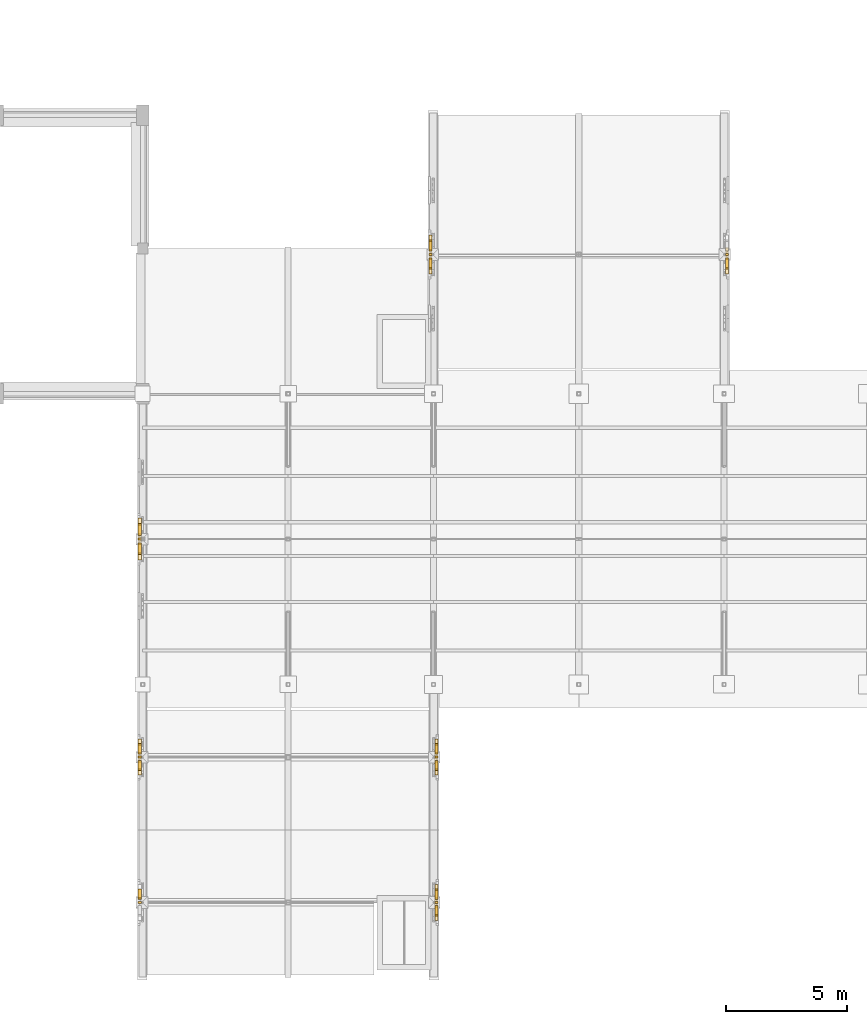
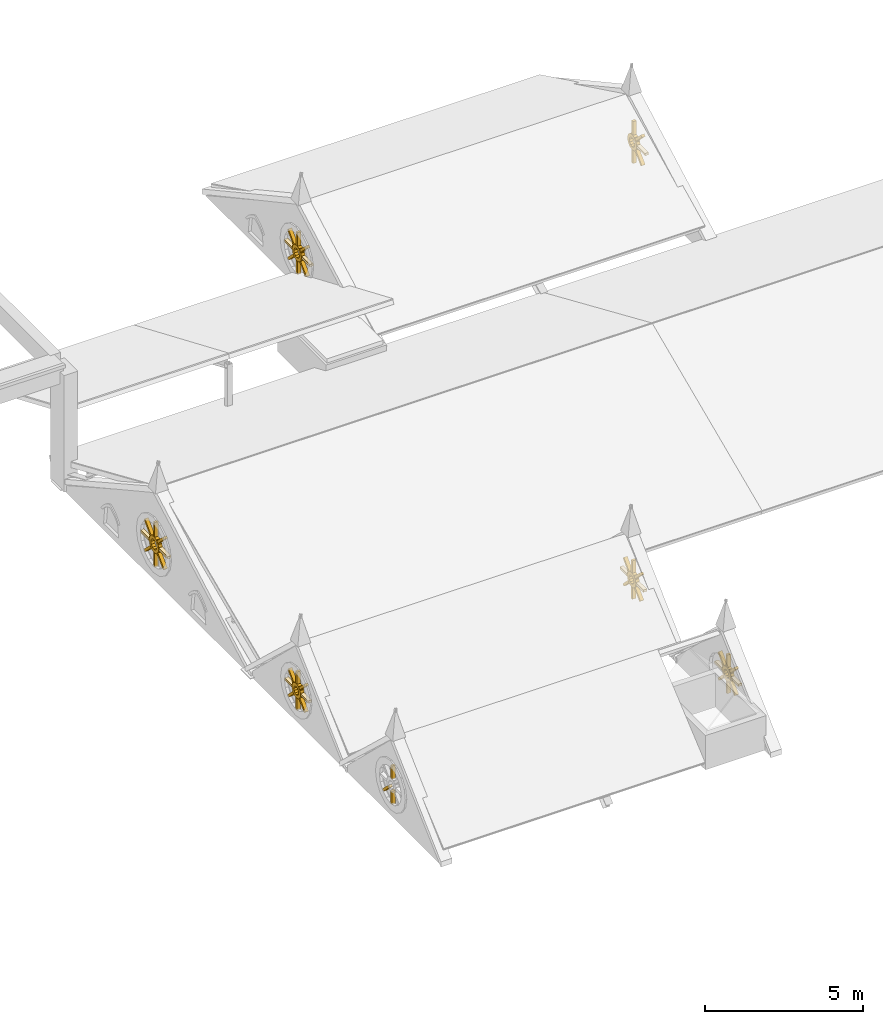
# One storey, part 58 of 59: 54 coverings.
"""IFC4 building model written with IfcOpenShell, lengths in metres."""

from ifc_helpers import new_model, si_unit, direction, frame, origin, place, context, subcontext, project, spatial, polyline, outline, extrude, material, type_object, element, save


model = new_model("IFC4")

# Units and contexts
model_context = context("Model", 3, precision=1e-05, world=origin(), true_north=direction((0.0, 1.0)))
body_context = subcontext(model_context, "Body", "Model", "MODEL_VIEW")
ifc_project = project(units=[si_unit("LENGTHUNIT", "METRE"), si_unit("AREAUNIT", "SQUARE_METRE"), si_unit("VOLUMEUNIT", "CUBIC_METRE"), si_unit("PLANEANGLEUNIT", "RADIAN"), si_unit("MASSUNIT", "GRAM", prefix="KILO")], contexts=[model_context])

# Site, building, storey
site_placement = place(None, origin())
site = spatial("IfcSite", under=ifc_project, at=site_placement, CompositionType="ELEMENT")
building_placement = place(site_placement, origin())
building = spatial("IfcBuilding", under=site, at=building_placement, Name="Cumevento Cable Car Station", CompositionType="ELEMENT")
storey_placement = place(building_placement, frame((0.0, 0.0, 18.0)))
storey = spatial("IfcBuildingStorey", under=building, at=storey_placement, Name="L05", CompositionType="ELEMENT", Elevation=18.0)

# Coverings
ifc_material = material(Name="Gnaisse Facoidal Stone Ashlar 85 MPa", Category="masonry")
covering_type = type_object("IfcCoveringType", Name="Gnaisse Ashlar Cladding CV-CL01", PredefinedType="CLADDING", material=ifc_material)
placement_1 = place(storey_placement, frame((118.0, 33.0, 0.0), z_axis=(0.0, 0.0, 1.0), x_axis=(0.0, 1.0, 0.0)))
element("IfcCovering", 1, at=placement_1, inside=storey, type_object=covering_type, Name="Gothic Rose Central Stone Oculus Hub depot_garage_W", PredefinedType="CLADDING", context=body_context, shape_type="SweptSolid", body=[
    extrude(outline(polyline([(6.310302734375, 1.3447265625), (6.268798828125, 1.5), (6.155029296875, 1.613525390625), (6.0, 1.655029296875), (5.844970703125, 1.613525390625), (5.731201171875, 1.5), (5.689697265625, 1.3447265625), (5.731201171875, 1.189697265625), (5.844970703125, 1.076171875), (6.0, 1.034423828125), (6.155029296875, 1.076171875), (6.268798828125, 1.189697265625), (6.310302734375, 1.3447265625)]), holes=[polyline([(6.190185546875, 1.3447265625), (6.164794921875, 1.43994140625), (6.09521484375, 1.509521484375), (6.0, 1.53515625), (5.90478515625, 1.509521484375), (5.835205078125, 1.43994140625), (5.809814453125, 1.3447265625), (5.835205078125, 1.249755859375), (5.90478515625, 1.179931640625), (6.0, 1.154541015625), (6.09521484375, 1.179931640625), (6.164794921875, 1.249755859375), (6.190185546875, 1.3447265625)])]), frame((0.0, 0.18994140625, 0.0), z_axis=(0.0, -1.0, 0.0), x_axis=(1.0, 0.0, 0.0)), (0.0, 0.0, 1.0), 0.139892578125),
])
element("IfcCovering", 2, at=placement_1, inside=storey, type_object=covering_type, Name="Gothic Rose Stone Tracery Mullion depot_garage_W #1", PredefinedType="CLADDING", context=body_context, shape_type="SweptSolid", body=[
    extrude(outline(polyline([(6.26025390625, 1.389892578125), (6.865478515625, 1.389892578125), (6.865478515625, 1.2998046875), (6.26025390625, 1.2998046875), (6.26025390625, 1.389892578125)])), frame((0.0, 0.18505859375, 0.0), z_axis=(0.0, -1.0, 0.0), x_axis=(1.0, 0.0, 0.0)), (0.0, 0.0, 1.0), 0.1298828125),
])
element("IfcCovering", 3, at=placement_1, inside=storey, type_object=covering_type, Name="Gothic Rose Stone Tracery Mullion depot_garage_W #2", PredefinedType="CLADDING", context=body_context, shape_type="SweptSolid", body=[
    extrude(outline(polyline([(6.15234375, 1.560791015625), (6.580322265625, 1.98876953125), (6.643798828125, 1.925048828125), (6.2158203125, 1.4970703125), (6.15234375, 1.560791015625)])), frame((0.0, 0.18505859375, 0.0), z_axis=(0.0, -1.0, 0.0), x_axis=(1.0, 0.0, 0.0)), (0.0, 0.0, 1.0), 0.1298828125),
])
element("IfcCovering", 4, at=placement_1, inside=storey, type_object=covering_type, Name="Gothic Rose Stone Tracery Mullion depot_garage_W #3", PredefinedType="CLADDING", context=body_context, shape_type="SweptSolid", body=[
    extrude(outline(polyline([(5.955078125, 1.60498046875), (5.955078125, 2.21044921875), (6.044921875, 2.21044921875), (6.044921875, 1.60498046875), (5.955078125, 1.60498046875)])), frame((0.0, 0.18505859375, 0.0), z_axis=(0.0, -1.0, 0.0), x_axis=(1.0, 0.0, 0.0)), (0.0, 0.0, 1.0), 0.1298828125),
])
element("IfcCovering", 5, at=placement_1, inside=storey, type_object=covering_type, Name="Gothic Rose Stone Tracery Mullion depot_garage_W #4", PredefinedType="CLADDING", context=body_context, shape_type="SweptSolid", body=[
    extrude(outline(polyline([(5.7841796875, 1.4970703125), (5.356201171875, 1.925048828125), (5.419677734375, 1.98876953125), (5.84765625, 1.560791015625), (5.7841796875, 1.4970703125)])), frame((0.0, 0.18505859375, 0.0), z_axis=(0.0, -1.0, 0.0), x_axis=(1.0, 0.0, 0.0)), (0.0, 0.0, 1.0), 0.1298828125),
])
element("IfcCovering", 6, at=placement_1, inside=storey, type_object=covering_type, Name="Gothic Rose Stone Tracery Mullion depot_garage_W #5", PredefinedType="CLADDING", context=body_context, shape_type="SweptSolid", body=[
    extrude(outline(polyline([(5.73974609375, 1.2998046875), (5.134521484375, 1.2998046875), (5.134521484375, 1.389892578125), (5.73974609375, 1.389892578125), (5.73974609375, 1.2998046875)])), frame((0.0, 0.18505859375, 0.0), z_axis=(0.0, -1.0, 0.0), x_axis=(1.0, 0.0, 0.0)), (0.0, 0.0, 1.0), 0.1298828125),
])
element("IfcCovering", 7, at=placement_1, inside=storey, type_object=covering_type, Name="Gothic Rose Stone Tracery Mullion depot_garage_W #6", PredefinedType="CLADDING", context=body_context, shape_type="SweptSolid", body=[
    extrude(outline(polyline([(5.84765625, 1.12890625), (5.419677734375, 0.700927734375), (5.356201171875, 0.7646484375), (5.7841796875, 1.192626953125), (5.84765625, 1.12890625)])), frame((0.0, 0.18505859375, 0.0), z_axis=(0.0, -1.0, 0.0), x_axis=(1.0, 0.0, 0.0)), (0.0, 0.0, 1.0), 0.1298828125),
])
element("IfcCovering", 8, at=placement_1, inside=storey, type_object=covering_type, Name="Gothic Rose Stone Tracery Mullion depot_garage_W #7", PredefinedType="CLADDING", context=body_context, shape_type="SweptSolid", body=[
    extrude(outline(polyline([(6.044921875, 1.08447265625), (6.044921875, 0.479248046875), (5.955078125, 0.479248046875), (5.955078125, 1.08447265625), (6.044921875, 1.08447265625)])), frame((0.0, 0.18505859375, 0.0), z_axis=(0.0, -1.0, 0.0), x_axis=(1.0, 0.0, 0.0)), (0.0, 0.0, 1.0), 0.1298828125),
])
element("IfcCovering", 9, at=placement_1, inside=storey, type_object=covering_type, Name="Gothic Rose Stone Tracery Mullion depot_garage_W #8", PredefinedType="CLADDING", context=body_context, shape_type="SweptSolid", body=[
    extrude(outline(polyline([(6.2158203125, 1.192626953125), (6.643798828125, 0.7646484375), (6.580322265625, 0.700927734375), (6.15234375, 1.12890625), (6.2158203125, 1.192626953125)])), frame((0.0, 0.18505859375, 0.0), z_axis=(0.0, -1.0, 0.0), x_axis=(1.0, 0.0, 0.0)), (0.0, 0.0, 1.0), 0.1298828125),
])
placement_2 = place(storey_placement, frame((118.0, 21.0, 0.0), z_axis=(0.0, 0.0, 1.0), x_axis=(0.0, 1.0, 0.0)))
element("IfcCovering", 10, at=placement_2, inside=storey, type_object=covering_type, Name="Gothic Rose Stone Tracery Mullion wing_B_V4b_core_W #3", PredefinedType="CLADDING", context=body_context, shape_type="SweptSolid", body=[
    extrude(outline(polyline([(2.955078125, 1.388916015625), (2.955078125, 1.904296875), (3.044921875, 1.904296875), (3.044921875, 1.388916015625), (2.955078125, 1.388916015625)])), frame((0.0, 0.18505859375, 0.0), z_axis=(0.0, -1.0, 0.0), x_axis=(1.0, 0.0, 0.0)), (0.0, 0.0, 1.0), 0.1298828125),
])
element("IfcCovering", 11, at=placement_2, inside=storey, type_object=covering_type, Name="Gothic Rose Stone Tracery Mullion wing_B_V4b_core_W #7", PredefinedType="CLADDING", context=body_context, shape_type="SweptSolid", body=[
    extrude(outline(polyline([(3.044921875, 0.931640625), (3.044921875, 0.416259765625), (2.955078125, 0.416259765625), (2.955078125, 0.931640625), (3.044921875, 0.931640625)])), frame((0.0, 0.18505859375, 0.0), z_axis=(0.0, -1.0, 0.0), x_axis=(1.0, 0.0, 0.0)), (0.0, 0.0, 1.0), 0.1298828125),
])
element("IfcCovering", 12, at=placement_2, inside=storey, type_object=covering_type, Name="Gothic Rose Stone Tracery Mullion wing_B_V4b_core_W #8", PredefinedType="CLADDING", context=body_context, shape_type="SweptSolid", body=[
    extrude(outline(polyline([(3.193603515625, 1.030517578125), (3.557861328125, 0.666015625), (3.494384765625, 0.602294921875), (3.1298828125, 0.966796875), (3.193603515625, 1.030517578125)])), frame((0.0, 0.18505859375, 0.0), z_axis=(0.0, -1.0, 0.0), x_axis=(1.0, 0.0, 0.0)), (0.0, 0.0, 1.0), 0.1298828125),
])
placement_3 = place(storey_placement, frame((130.0, 27.0, 0.0), z_axis=(0.0, 0.0, 1.0), x_axis=(0.0, -1.0, 0.0)))
element("IfcCovering", 13, at=placement_3, inside=storey, type_object=covering_type, Name="Gothic Rose Central Stone Oculus Hub wing_B_V4b_core_E", PredefinedType="CLADDING", context=body_context, shape_type="SweptSolid", body=[
    extrude(outline(polyline([(3.27880859375, 1.160400390625), (3.241455078125, 1.299560546875), (3.139404296875, 1.401611328125), (3.0, 1.43896484375), (2.860595703125, 1.401611328125), (2.758544921875, 1.299560546875), (2.72119140625, 1.160400390625), (2.758544921875, 1.02099609375), (2.860595703125, 0.9189453125), (3.0, 0.881591796875), (3.139404296875, 0.9189453125), (3.241455078125, 1.02099609375), (3.27880859375, 1.160400390625)]), holes=[polyline([(3.15869140625, 1.160400390625), (3.137451171875, 1.23974609375), (3.079345703125, 1.2978515625), (3.0, 1.319091796875), (2.920654296875, 1.2978515625), (2.862548828125, 1.23974609375), (2.84130859375, 1.160400390625), (2.862548828125, 1.0810546875), (2.920654296875, 1.02294921875), (3.0, 1.001708984375), (3.079345703125, 1.02294921875), (3.137451171875, 1.0810546875), (3.15869140625, 1.160400390625)])]), frame((0.0, 0.18994140625, 0.0), z_axis=(0.0, -1.0, 0.0), x_axis=(1.0, 0.0, 0.0)), (0.0, 0.0, 1.0), 0.139892578125),
])
element("IfcCovering", 14, at=placement_3, inside=storey, type_object=covering_type, Name="Gothic Rose Stone Tracery Mullion wing_B_V4b_core_E #1", PredefinedType="CLADDING", context=body_context, shape_type="SweptSolid", body=[
    extrude(outline(polyline([(3.228759765625, 1.205322265625), (3.744140625, 1.205322265625), (3.744140625, 1.115234375), (3.228759765625, 1.115234375), (3.228759765625, 1.205322265625)])), frame((0.0, 0.18505859375, 0.0), z_axis=(0.0, -1.0, 0.0), x_axis=(1.0, 0.0, 0.0)), (0.0, 0.0, 1.0), 0.1298828125),
])
element("IfcCovering", 15, at=placement_3, inside=storey, type_object=covering_type, Name="Gothic Rose Stone Tracery Mullion wing_B_V4b_core_E #2", PredefinedType="CLADDING", context=body_context, shape_type="SweptSolid", body=[
    extrude(outline(polyline([(3.1298828125, 1.353759765625), (3.494384765625, 1.71826171875), (3.557861328125, 1.654541015625), (3.193603515625, 1.290283203125), (3.1298828125, 1.353759765625)])), frame((0.0, 0.18505859375, 0.0), z_axis=(0.0, -1.0, 0.0), x_axis=(1.0, 0.0, 0.0)), (0.0, 0.0, 1.0), 0.1298828125),
])
element("IfcCovering", 16, at=placement_3, inside=storey, type_object=covering_type, Name="Gothic Rose Stone Tracery Mullion wing_B_V4b_core_E #3", PredefinedType="CLADDING", context=body_context, shape_type="SweptSolid", body=[
    extrude(outline(polyline([(2.955078125, 1.388916015625), (2.955078125, 1.904296875), (3.044921875, 1.904296875), (3.044921875, 1.388916015625), (2.955078125, 1.388916015625)])), frame((0.0, 0.18505859375, 0.0), z_axis=(0.0, -1.0, 0.0), x_axis=(1.0, 0.0, 0.0)), (0.0, 0.0, 1.0), 0.1298828125),
])
element("IfcCovering", 17, at=placement_3, inside=storey, type_object=covering_type, Name="Gothic Rose Stone Tracery Mullion wing_B_V4b_core_E #4", PredefinedType="CLADDING", context=body_context, shape_type="SweptSolid", body=[
    extrude(outline(polyline([(2.806396484375, 1.290283203125), (2.442138671875, 1.654541015625), (2.505615234375, 1.71826171875), (2.8701171875, 1.353759765625), (2.806396484375, 1.290283203125)])), frame((0.0, 0.18505859375, 0.0), z_axis=(0.0, -1.0, 0.0), x_axis=(1.0, 0.0, 0.0)), (0.0, 0.0, 1.0), 0.1298828125),
])
element("IfcCovering", 18, at=placement_3, inside=storey, type_object=covering_type, Name="Gothic Rose Stone Tracery Mullion wing_B_V4b_core_E #5", PredefinedType="CLADDING", context=body_context, shape_type="SweptSolid", body=[
    extrude(outline(polyline([(2.771240234375, 1.115234375), (2.255859375, 1.115234375), (2.255859375, 1.205322265625), (2.771240234375, 1.205322265625), (2.771240234375, 1.115234375)])), frame((0.0, 0.18505859375, 0.0), z_axis=(0.0, -1.0, 0.0), x_axis=(1.0, 0.0, 0.0)), (0.0, 0.0, 1.0), 0.1298828125),
])
element("IfcCovering", 19, at=placement_3, inside=storey, type_object=covering_type, Name="Gothic Rose Stone Tracery Mullion wing_B_V4b_core_E #6", PredefinedType="CLADDING", context=body_context, shape_type="SweptSolid", body=[
    extrude(outline(polyline([(2.8701171875, 0.966796875), (2.505615234375, 0.602294921875), (2.442138671875, 0.666015625), (2.806396484375, 1.030517578125), (2.8701171875, 0.966796875)])), frame((0.0, 0.18505859375, 0.0), z_axis=(0.0, -1.0, 0.0), x_axis=(1.0, 0.0, 0.0)), (0.0, 0.0, 1.0), 0.1298828125),
])
element("IfcCovering", 20, at=placement_3, inside=storey, type_object=covering_type, Name="Gothic Rose Stone Tracery Mullion wing_B_V4b_core_E #7", PredefinedType="CLADDING", context=body_context, shape_type="SweptSolid", body=[
    extrude(outline(polyline([(3.044921875, 0.931640625), (3.044921875, 0.416259765625), (2.955078125, 0.416259765625), (2.955078125, 0.931640625), (3.044921875, 0.931640625)])), frame((0.0, 0.18505859375, 0.0), z_axis=(0.0, -1.0, 0.0), x_axis=(1.0, 0.0, 0.0)), (0.0, 0.0, 1.0), 0.1298828125),
])
element("IfcCovering", 21, at=placement_3, inside=storey, type_object=covering_type, Name="Gothic Rose Stone Tracery Mullion wing_B_V4b_core_E #8", PredefinedType="CLADDING", context=body_context, shape_type="SweptSolid", body=[
    extrude(outline(polyline([(3.193603515625, 1.030517578125), (3.557861328125, 0.666015625), (3.494384765625, 0.602294921875), (3.1298828125, 0.966796875), (3.193603515625, 1.030517578125)])), frame((0.0, 0.18505859375, 0.0), z_axis=(0.0, -1.0, 0.0), x_axis=(1.0, 0.0, 0.0)), (0.0, 0.0, 1.0), 0.1298828125),
])
placement_4 = place(storey_placement, frame((118.0, 27.0, 0.0), z_axis=(0.0, 0.0, 1.0), x_axis=(0.0, 1.0, 0.0)))
element("IfcCovering", 22, at=placement_4, inside=storey, type_object=covering_type, Name="Gothic Rose Central Stone Oculus Hub wing_B_V4b_W", PredefinedType="CLADDING", context=body_context, shape_type="SweptSolid", body=[
    extrude(outline(polyline([(3.27880859375, 1.160400390625), (3.241455078125, 1.299560546875), (3.139404296875, 1.401611328125), (3.0, 1.43896484375), (2.860595703125, 1.401611328125), (2.758544921875, 1.299560546875), (2.72119140625, 1.160400390625), (2.758544921875, 1.02099609375), (2.860595703125, 0.9189453125), (3.0, 0.881591796875), (3.139404296875, 0.9189453125), (3.241455078125, 1.02099609375), (3.27880859375, 1.160400390625)]), holes=[polyline([(3.15869140625, 1.160400390625), (3.137451171875, 1.23974609375), (3.079345703125, 1.2978515625), (3.0, 1.319091796875), (2.920654296875, 1.2978515625), (2.862548828125, 1.23974609375), (2.84130859375, 1.160400390625), (2.862548828125, 1.0810546875), (2.920654296875, 1.02294921875), (3.0, 1.001708984375), (3.079345703125, 1.02294921875), (3.137451171875, 1.0810546875), (3.15869140625, 1.160400390625)])]), frame((0.0, 0.18994140625, 0.0), z_axis=(0.0, -1.0, 0.0), x_axis=(1.0, 0.0, 0.0)), (0.0, 0.0, 1.0), 0.139892578125),
])
element("IfcCovering", 23, at=placement_4, inside=storey, type_object=covering_type, Name="Gothic Rose Stone Tracery Mullion wing_B_V4b_W #1", PredefinedType="CLADDING", context=body_context, shape_type="SweptSolid", body=[
    extrude(outline(polyline([(3.228759765625, 1.205322265625), (3.744140625, 1.205322265625), (3.744140625, 1.115234375), (3.228759765625, 1.115234375), (3.228759765625, 1.205322265625)])), frame((0.0, 0.18505859375, 0.0), z_axis=(0.0, -1.0, 0.0), x_axis=(1.0, 0.0, 0.0)), (0.0, 0.0, 1.0), 0.1298828125),
])
element("IfcCovering", 24, at=placement_4, inside=storey, type_object=covering_type, Name="Gothic Rose Stone Tracery Mullion wing_B_V4b_W #2", PredefinedType="CLADDING", context=body_context, shape_type="SweptSolid", body=[
    extrude(outline(polyline([(3.1298828125, 1.353759765625), (3.494384765625, 1.71826171875), (3.557861328125, 1.654541015625), (3.193603515625, 1.290283203125), (3.1298828125, 1.353759765625)])), frame((0.0, 0.18505859375, 0.0), z_axis=(0.0, -1.0, 0.0), x_axis=(1.0, 0.0, 0.0)), (0.0, 0.0, 1.0), 0.1298828125),
])
element("IfcCovering", 25, at=placement_4, inside=storey, type_object=covering_type, Name="Gothic Rose Stone Tracery Mullion wing_B_V4b_W #3", PredefinedType="CLADDING", context=body_context, shape_type="SweptSolid", body=[
    extrude(outline(polyline([(2.955078125, 1.388916015625), (2.955078125, 1.904296875), (3.044921875, 1.904296875), (3.044921875, 1.388916015625), (2.955078125, 1.388916015625)])), frame((0.0, 0.18505859375, 0.0), z_axis=(0.0, -1.0, 0.0), x_axis=(1.0, 0.0, 0.0)), (0.0, 0.0, 1.0), 0.1298828125),
])
element("IfcCovering", 26, at=placement_4, inside=storey, type_object=covering_type, Name="Gothic Rose Stone Tracery Mullion wing_B_V4b_W #4", PredefinedType="CLADDING", context=body_context, shape_type="SweptSolid", body=[
    extrude(outline(polyline([(2.806396484375, 1.290283203125), (2.442138671875, 1.654541015625), (2.505615234375, 1.71826171875), (2.8701171875, 1.353759765625), (2.806396484375, 1.290283203125)])), frame((0.0, 0.18505859375, 0.0), z_axis=(0.0, -1.0, 0.0), x_axis=(1.0, 0.0, 0.0)), (0.0, 0.0, 1.0), 0.1298828125),
])
element("IfcCovering", 27, at=placement_4, inside=storey, type_object=covering_type, Name="Gothic Rose Stone Tracery Mullion wing_B_V4b_W #5", PredefinedType="CLADDING", context=body_context, shape_type="SweptSolid", body=[
    extrude(outline(polyline([(2.771240234375, 1.115234375), (2.255859375, 1.115234375), (2.255859375, 1.205322265625), (2.771240234375, 1.205322265625), (2.771240234375, 1.115234375)])), frame((0.0, 0.18505859375, 0.0), z_axis=(0.0, -1.0, 0.0), x_axis=(1.0, 0.0, 0.0)), (0.0, 0.0, 1.0), 0.1298828125),
])
element("IfcCovering", 28, at=placement_4, inside=storey, type_object=covering_type, Name="Gothic Rose Stone Tracery Mullion wing_B_V4b_W #6", PredefinedType="CLADDING", context=body_context, shape_type="SweptSolid", body=[
    extrude(outline(polyline([(2.8701171875, 0.966796875), (2.505615234375, 0.602294921875), (2.442138671875, 0.666015625), (2.806396484375, 1.030517578125), (2.8701171875, 0.966796875)])), frame((0.0, 0.18505859375, 0.0), z_axis=(0.0, -1.0, 0.0), x_axis=(1.0, 0.0, 0.0)), (0.0, 0.0, 1.0), 0.1298828125),
])
element("IfcCovering", 29, at=placement_4, inside=storey, type_object=covering_type, Name="Gothic Rose Stone Tracery Mullion wing_B_V4b_W #7", PredefinedType="CLADDING", context=body_context, shape_type="SweptSolid", body=[
    extrude(outline(polyline([(3.044921875, 0.931640625), (3.044921875, 0.416259765625), (2.955078125, 0.416259765625), (2.955078125, 0.931640625), (3.044921875, 0.931640625)])), frame((0.0, 0.18505859375, 0.0), z_axis=(0.0, -1.0, 0.0), x_axis=(1.0, 0.0, 0.0)), (0.0, 0.0, 1.0), 0.1298828125),
])
element("IfcCovering", 30, at=placement_4, inside=storey, type_object=covering_type, Name="Gothic Rose Stone Tracery Mullion wing_B_V4b_W #8", PredefinedType="CLADDING", context=body_context, shape_type="SweptSolid", body=[
    extrude(outline(polyline([(3.193603515625, 1.030517578125), (3.557861328125, 0.666015625), (3.494384765625, 0.602294921875), (3.1298828125, 0.966796875), (3.193603515625, 1.030517578125)])), frame((0.0, 0.18505859375, 0.0), z_axis=(0.0, -1.0, 0.0), x_axis=(1.0, 0.0, 0.0)), (0.0, 0.0, 1.0), 0.1298828125),
])
placement_5 = place(storey_placement, frame((130.0, 33.0, 0.0), z_axis=(0.0, 0.0, 1.0), x_axis=(0.0, -1.0, 0.0)))
element("IfcCovering", 31, at=placement_5, inside=storey, type_object=covering_type, Name="Gothic Rose Central Stone Oculus Hub wing_B_V4b_E", PredefinedType="CLADDING", context=body_context, shape_type="SweptSolid", body=[
    extrude(outline(polyline([(3.27880859375, 1.160400390625), (3.241455078125, 1.299560546875), (3.139404296875, 1.401611328125), (3.0, 1.43896484375), (2.860595703125, 1.401611328125), (2.758544921875, 1.299560546875), (2.72119140625, 1.160400390625), (2.758544921875, 1.02099609375), (2.860595703125, 0.9189453125), (3.0, 0.881591796875), (3.139404296875, 0.9189453125), (3.241455078125, 1.02099609375), (3.27880859375, 1.160400390625)]), holes=[polyline([(3.15869140625, 1.160400390625), (3.137451171875, 1.23974609375), (3.079345703125, 1.2978515625), (3.0, 1.319091796875), (2.920654296875, 1.2978515625), (2.862548828125, 1.23974609375), (2.84130859375, 1.160400390625), (2.862548828125, 1.0810546875), (2.920654296875, 1.02294921875), (3.0, 1.001708984375), (3.079345703125, 1.02294921875), (3.137451171875, 1.0810546875), (3.15869140625, 1.160400390625)])]), frame((0.0, 0.18994140625, 0.0), z_axis=(0.0, -1.0, 0.0), x_axis=(1.0, 0.0, 0.0)), (0.0, 0.0, 1.0), 0.139892578125),
])
element("IfcCovering", 32, at=placement_5, inside=storey, type_object=covering_type, Name="Gothic Rose Stone Tracery Mullion wing_B_V4b_E #1", PredefinedType="CLADDING", context=body_context, shape_type="SweptSolid", body=[
    extrude(outline(polyline([(3.228759765625, 1.205322265625), (3.744140625, 1.205322265625), (3.744140625, 1.115234375), (3.228759765625, 1.115234375), (3.228759765625, 1.205322265625)])), frame((0.0, 0.18505859375, 0.0), z_axis=(0.0, -1.0, 0.0), x_axis=(1.0, 0.0, 0.0)), (0.0, 0.0, 1.0), 0.1298828125),
])
element("IfcCovering", 33, at=placement_5, inside=storey, type_object=covering_type, Name="Gothic Rose Stone Tracery Mullion wing_B_V4b_E #2", PredefinedType="CLADDING", context=body_context, shape_type="SweptSolid", body=[
    extrude(outline(polyline([(3.1298828125, 1.353759765625), (3.494384765625, 1.71826171875), (3.557861328125, 1.654541015625), (3.193603515625, 1.290283203125), (3.1298828125, 1.353759765625)])), frame((0.0, 0.18505859375, 0.0), z_axis=(0.0, -1.0, 0.0), x_axis=(1.0, 0.0, 0.0)), (0.0, 0.0, 1.0), 0.1298828125),
])
element("IfcCovering", 34, at=placement_5, inside=storey, type_object=covering_type, Name="Gothic Rose Stone Tracery Mullion wing_B_V4b_E #3", PredefinedType="CLADDING", context=body_context, shape_type="SweptSolid", body=[
    extrude(outline(polyline([(2.955078125, 1.388916015625), (2.955078125, 1.904296875), (3.044921875, 1.904296875), (3.044921875, 1.388916015625), (2.955078125, 1.388916015625)])), frame((0.0, 0.18505859375, 0.0), z_axis=(0.0, -1.0, 0.0), x_axis=(1.0, 0.0, 0.0)), (0.0, 0.0, 1.0), 0.1298828125),
])
element("IfcCovering", 35, at=placement_5, inside=storey, type_object=covering_type, Name="Gothic Rose Stone Tracery Mullion wing_B_V4b_E #4", PredefinedType="CLADDING", context=body_context, shape_type="SweptSolid", body=[
    extrude(outline(polyline([(2.806396484375, 1.290283203125), (2.442138671875, 1.654541015625), (2.505615234375, 1.71826171875), (2.8701171875, 1.353759765625), (2.806396484375, 1.290283203125)])), frame((0.0, 0.18505859375, 0.0), z_axis=(0.0, -1.0, 0.0), x_axis=(1.0, 0.0, 0.0)), (0.0, 0.0, 1.0), 0.1298828125),
])
element("IfcCovering", 36, at=placement_5, inside=storey, type_object=covering_type, Name="Gothic Rose Stone Tracery Mullion wing_B_V4b_E #5", PredefinedType="CLADDING", context=body_context, shape_type="SweptSolid", body=[
    extrude(outline(polyline([(2.771240234375, 1.115234375), (2.255859375, 1.115234375), (2.255859375, 1.205322265625), (2.771240234375, 1.205322265625), (2.771240234375, 1.115234375)])), frame((0.0, 0.18505859375, 0.0), z_axis=(0.0, -1.0, 0.0), x_axis=(1.0, 0.0, 0.0)), (0.0, 0.0, 1.0), 0.1298828125),
])
element("IfcCovering", 37, at=placement_5, inside=storey, type_object=covering_type, Name="Gothic Rose Stone Tracery Mullion wing_B_V4b_E #6", PredefinedType="CLADDING", context=body_context, shape_type="SweptSolid", body=[
    extrude(outline(polyline([(2.8701171875, 0.966796875), (2.505615234375, 0.602294921875), (2.442138671875, 0.666015625), (2.806396484375, 1.030517578125), (2.8701171875, 0.966796875)])), frame((0.0, 0.18505859375, 0.0), z_axis=(0.0, -1.0, 0.0), x_axis=(1.0, 0.0, 0.0)), (0.0, 0.0, 1.0), 0.1298828125),
])
element("IfcCovering", 38, at=placement_5, inside=storey, type_object=covering_type, Name="Gothic Rose Stone Tracery Mullion wing_B_V4b_E #7", PredefinedType="CLADDING", context=body_context, shape_type="SweptSolid", body=[
    extrude(outline(polyline([(3.044921875, 0.931640625), (3.044921875, 0.416259765625), (2.955078125, 0.416259765625), (2.955078125, 0.931640625), (3.044921875, 0.931640625)])), frame((0.0, 0.18505859375, 0.0), z_axis=(0.0, -1.0, 0.0), x_axis=(1.0, 0.0, 0.0)), (0.0, 0.0, 1.0), 0.1298828125),
])
element("IfcCovering", 39, at=placement_5, inside=storey, type_object=covering_type, Name="Gothic Rose Stone Tracery Mullion wing_B_V4b_E #8", PredefinedType="CLADDING", context=body_context, shape_type="SweptSolid", body=[
    extrude(outline(polyline([(3.193603515625, 1.030517578125), (3.557861328125, 0.666015625), (3.494384765625, 0.602294921875), (3.1298828125, 0.966796875), (3.193603515625, 1.030517578125)])), frame((0.0, 0.18505859375, 0.0), z_axis=(0.0, -1.0, 0.0), x_axis=(1.0, 0.0, 0.0)), (0.0, 0.0, 1.0), 0.1298828125),
])
placement_6 = place(storey_placement, frame((130.0, 45.0, 0.0), z_axis=(0.0, 0.0, 1.0), x_axis=(0.0, 1.0, 0.0)))
element("IfcCovering", 40, at=placement_6, inside=storey, type_object=covering_type, Name="Gothic Rose Central Stone Oculus Hub wing_B_V5c_W", PredefinedType="CLADDING", context=body_context, shape_type="SweptSolid", body=[
    extrude(outline(polyline([(6.046142578125, 1.2626953125), (6.006591796875, 1.410888671875), (5.898193359375, 1.519287109375), (5.75, 1.55908203125), (5.601806640625, 1.519287109375), (5.493408203125, 1.410888671875), (5.453857421875, 1.2626953125), (5.493408203125, 1.11474609375), (5.601806640625, 1.00634765625), (5.75, 0.966552734375), (5.898193359375, 1.00634765625), (6.006591796875, 1.11474609375), (6.046142578125, 1.2626953125)]), holes=[polyline([(5.92626953125, 1.2626953125), (5.902587890625, 1.350830078125), (5.838134765625, 1.415283203125), (5.75, 1.43896484375), (5.661865234375, 1.415283203125), (5.597412109375, 1.350830078125), (5.57373046875, 1.2626953125), (5.597412109375, 1.1748046875), (5.661865234375, 1.110107421875), (5.75, 1.086669921875), (5.838134765625, 1.110107421875), (5.902587890625, 1.1748046875), (5.92626953125, 1.2626953125)])]), frame((0.0, 0.18994140625, 0.0), z_axis=(0.0, -1.0, 0.0), x_axis=(1.0, 0.0, 0.0)), (0.0, 0.0, 1.0), 0.139892578125),
])
element("IfcCovering", 41, at=placement_6, inside=storey, type_object=covering_type, Name="Gothic Rose Stone Tracery Mullion wing_B_V5c_W #1", PredefinedType="CLADDING", context=body_context, shape_type="SweptSolid", body=[
    extrude(outline(polyline([(5.99609375, 1.307861328125), (6.5615234375, 1.307861328125), (6.5615234375, 1.2177734375), (5.99609375, 1.2177734375), (5.99609375, 1.307861328125)])), frame((0.0, 0.18505859375, 0.0), z_axis=(0.0, -1.0, 0.0), x_axis=(1.0, 0.0, 0.0)), (0.0, 0.0, 1.0), 0.1298828125),
])
element("IfcCovering", 42, at=placement_6, inside=storey, type_object=covering_type, Name="Gothic Rose Stone Tracery Mullion wing_B_V5c_W #2", PredefinedType="CLADDING", context=body_context, shape_type="SweptSolid", body=[
    extrude(outline(polyline([(5.892333984375, 1.46875), (6.2919921875, 1.868408203125), (6.355712890625, 1.804931640625), (5.955810546875, 1.405029296875), (5.892333984375, 1.46875)])), frame((0.0, 0.18505859375, 0.0), z_axis=(0.0, -1.0, 0.0), x_axis=(1.0, 0.0, 0.0)), (0.0, 0.0, 1.0), 0.1298828125),
])
element("IfcCovering", 43, at=placement_6, inside=storey, type_object=covering_type, Name="Gothic Rose Stone Tracery Mullion wing_B_V5c_W #3", PredefinedType="CLADDING", context=body_context, shape_type="SweptSolid", body=[
    extrude(outline(polyline([(5.705078125, 1.509033203125), (5.705078125, 2.074462890625), (5.794921875, 2.074462890625), (5.794921875, 1.509033203125), (5.705078125, 1.509033203125)])), frame((0.0, 0.18505859375, 0.0), z_axis=(0.0, -1.0, 0.0), x_axis=(1.0, 0.0, 0.0)), (0.0, 0.0, 1.0), 0.1298828125),
])
element("IfcCovering", 44, at=placement_6, inside=storey, type_object=covering_type, Name="Gothic Rose Stone Tracery Mullion wing_B_V5c_W #4", PredefinedType="CLADDING", context=body_context, shape_type="SweptSolid", body=[
    extrude(outline(polyline([(5.544189453125, 1.405029296875), (5.144287109375, 1.804931640625), (5.2080078125, 1.868408203125), (5.607666015625, 1.46875), (5.544189453125, 1.405029296875)])), frame((0.0, 0.18505859375, 0.0), z_axis=(0.0, -1.0, 0.0), x_axis=(1.0, 0.0, 0.0)), (0.0, 0.0, 1.0), 0.1298828125),
])
element("IfcCovering", 45, at=placement_6, inside=storey, type_object=covering_type, Name="Gothic Rose Stone Tracery Mullion wing_B_V5c_W #5", PredefinedType="CLADDING", context=body_context, shape_type="SweptSolid", body=[
    extrude(outline(polyline([(5.50390625, 1.2177734375), (4.9384765625, 1.2177734375), (4.9384765625, 1.307861328125), (5.50390625, 1.307861328125), (5.50390625, 1.2177734375)])), frame((0.0, 0.18505859375, 0.0), z_axis=(0.0, -1.0, 0.0), x_axis=(1.0, 0.0, 0.0)), (0.0, 0.0, 1.0), 0.1298828125),
])
element("IfcCovering", 46, at=placement_6, inside=storey, type_object=covering_type, Name="Gothic Rose Stone Tracery Mullion wing_B_V5c_W #6", PredefinedType="CLADDING", context=body_context, shape_type="SweptSolid", body=[
    extrude(outline(polyline([(5.607666015625, 1.056884765625), (5.2080078125, 0.656982421875), (5.144287109375, 0.720703125), (5.544189453125, 1.12060546875), (5.607666015625, 1.056884765625)])), frame((0.0, 0.18505859375, 0.0), z_axis=(0.0, -1.0, 0.0), x_axis=(1.0, 0.0, 0.0)), (0.0, 0.0, 1.0), 0.1298828125),
])
element("IfcCovering", 47, at=placement_6, inside=storey, type_object=covering_type, Name="Gothic Rose Stone Tracery Mullion wing_B_V5c_W #7", PredefinedType="CLADDING", context=body_context, shape_type="SweptSolid", body=[
    extrude(outline(polyline([(5.794921875, 1.0166015625), (5.794921875, 0.451171875), (5.705078125, 0.451171875), (5.705078125, 1.0166015625), (5.794921875, 1.0166015625)])), frame((0.0, 0.18505859375, 0.0), z_axis=(0.0, -1.0, 0.0), x_axis=(1.0, 0.0, 0.0)), (0.0, 0.0, 1.0), 0.1298828125),
])
element("IfcCovering", 48, at=placement_6, inside=storey, type_object=covering_type, Name="Gothic Rose Stone Tracery Mullion wing_B_V5c_W #8", PredefinedType="CLADDING", context=body_context, shape_type="SweptSolid", body=[
    extrude(outline(polyline([(5.955810546875, 1.12060546875), (6.355712890625, 0.720703125), (6.2919921875, 0.656982421875), (5.892333984375, 1.056884765625), (5.955810546875, 1.12060546875)])), frame((0.0, 0.18505859375, 0.0), z_axis=(0.0, -1.0, 0.0), x_axis=(1.0, 0.0, 0.0)), (0.0, 0.0, 1.0), 0.1298828125),
])
placement_7 = place(storey_placement, frame((142.0, 56.5, 0.0), z_axis=(0.0, 0.0, 1.0), x_axis=(0.0, -1.0, 0.0)))
element("IfcCovering", 49, at=placement_7, inside=storey, type_object=covering_type, Name="Gothic Rose Central Stone Oculus Hub wing_B_V5c_E", PredefinedType="CLADDING", context=body_context, shape_type="SweptSolid", body=[
    extrude(outline(polyline([(6.046142578125, 1.2626953125), (6.006591796875, 1.410888671875), (5.898193359375, 1.519287109375), (5.75, 1.55908203125), (5.601806640625, 1.519287109375), (5.493408203125, 1.410888671875), (5.453857421875, 1.2626953125), (5.493408203125, 1.11474609375), (5.601806640625, 1.00634765625), (5.75, 0.966552734375), (5.898193359375, 1.00634765625), (6.006591796875, 1.11474609375), (6.046142578125, 1.2626953125)]), holes=[polyline([(5.92626953125, 1.2626953125), (5.902587890625, 1.350830078125), (5.838134765625, 1.415283203125), (5.75, 1.43896484375), (5.661865234375, 1.415283203125), (5.597412109375, 1.350830078125), (5.57373046875, 1.2626953125), (5.597412109375, 1.1748046875), (5.661865234375, 1.110107421875), (5.75, 1.086669921875), (5.838134765625, 1.110107421875), (5.902587890625, 1.1748046875), (5.92626953125, 1.2626953125)])]), frame((0.0, 0.18994140625, 0.0), z_axis=(0.0, -1.0, 0.0), x_axis=(1.0, 0.0, 0.0)), (0.0, 0.0, 1.0), 0.139892578125),
])
element("IfcCovering", 50, at=placement_7, inside=storey, type_object=covering_type, Name="Gothic Rose Stone Tracery Mullion wing_B_V5c_E #1", PredefinedType="CLADDING", context=body_context, shape_type="SweptSolid", body=[
    extrude(outline(polyline([(5.99609375, 1.307861328125), (6.5615234375, 1.307861328125), (6.5615234375, 1.2177734375), (5.99609375, 1.2177734375), (5.99609375, 1.307861328125)])), frame((0.0, 0.18505859375, 0.0), z_axis=(0.0, -1.0, 0.0), x_axis=(1.0, 0.0, 0.0)), (0.0, 0.0, 1.0), 0.1298828125),
])
element("IfcCovering", 51, at=placement_7, inside=storey, type_object=covering_type, Name="Gothic Rose Stone Tracery Mullion wing_B_V5c_E #2", PredefinedType="CLADDING", context=body_context, shape_type="SweptSolid", body=[
    extrude(outline(polyline([(5.892333984375, 1.46875), (6.2919921875, 1.868408203125), (6.355712890625, 1.804931640625), (5.955810546875, 1.405029296875), (5.892333984375, 1.46875)])), frame((0.0, 0.18505859375, 0.0), z_axis=(0.0, -1.0, 0.0), x_axis=(1.0, 0.0, 0.0)), (0.0, 0.0, 1.0), 0.1298828125),
])
element("IfcCovering", 52, at=placement_7, inside=storey, type_object=covering_type, Name="Gothic Rose Stone Tracery Mullion wing_B_V5c_E #3", PredefinedType="CLADDING", context=body_context, shape_type="SweptSolid", body=[
    extrude(outline(polyline([(5.705078125, 1.509033203125), (5.705078125, 2.074462890625), (5.794921875, 2.074462890625), (5.794921875, 1.509033203125), (5.705078125, 1.509033203125)])), frame((0.0, 0.18505859375, 0.0), z_axis=(0.0, -1.0, 0.0), x_axis=(1.0, 0.0, 0.0)), (0.0, 0.0, 1.0), 0.1298828125),
])
element("IfcCovering", 53, at=placement_7, inside=storey, type_object=covering_type, Name="Gothic Rose Stone Tracery Mullion wing_B_V5c_E #7", PredefinedType="CLADDING", context=body_context, shape_type="SweptSolid", body=[
    extrude(outline(polyline([(5.794921875, 1.0166015625), (5.794921875, 0.451171875), (5.705078125, 0.451171875), (5.705078125, 1.0166015625), (5.794921875, 1.0166015625)])), frame((0.0, 0.18505859375, 0.0), z_axis=(0.0, -1.0, 0.0), x_axis=(1.0, 0.0, 0.0)), (0.0, 0.0, 1.0), 0.1298828125),
])
element("IfcCovering", 54, at=placement_7, inside=storey, type_object=covering_type, Name="Gothic Rose Stone Tracery Mullion wing_B_V5c_E #8", PredefinedType="CLADDING", context=body_context, shape_type="SweptSolid", body=[
    extrude(outline(polyline([(5.955810546875, 1.12060546875), (6.355712890625, 0.720703125), (6.2919921875, 0.656982421875), (5.892333984375, 1.056884765625), (5.955810546875, 1.12060546875)])), frame((0.0, 0.18505859375, 0.0), z_axis=(0.0, -1.0, 0.0), x_axis=(1.0, 0.0, 0.0)), (0.0, 0.0, 1.0), 0.1298828125),
])

save(model, "model.ifc")
